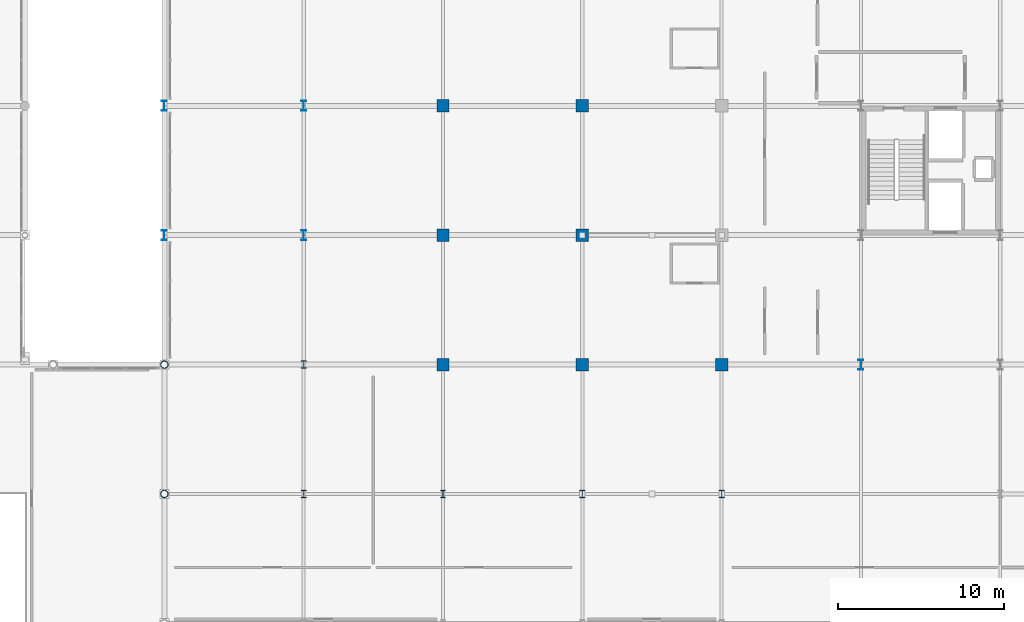
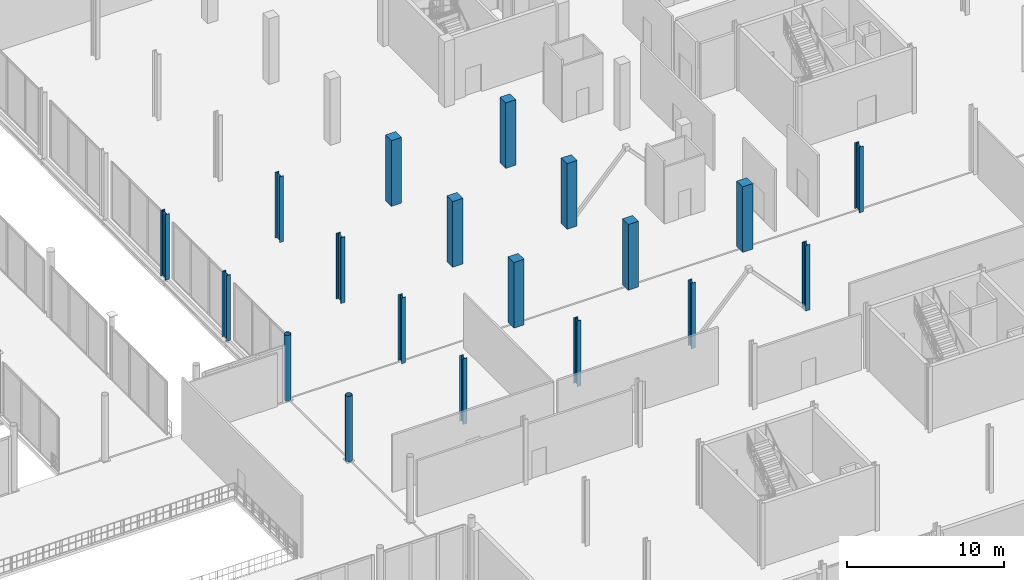
# One storey, part 17 of 105: 19 columns.
"""IFC4 building model written with IfcOpenShell, lengths in metres."""

import ifcopenshell
import ifcopenshell.guid

model = None  # the IFC model being written
_history = None  # IfcOwnerHistory: only IFC2X3 demands one
_inside = {}  # id of a spatial element -> (the spatial element, [elements in it])
_under = {}  # id of a project, library or spatial element -> (it, [spatial elements below it])
_declared = {}  # id of a project -> (the project, [libraries it declares])
_typed = {}  # id of a type object -> (the type object, [elements of that type])
_made_of = {}  # id of a material, layer set ... -> (it, [elements and type objects made of it])


def new_model(schema):
    """Start an empty IFC model of exactly this schema.

    Asked for "IFC4X3", IfcOpenShell would pick the latest addendum, in which some entities
    have other attributes; the version numbers below select the first issue.
    IFC2X3 requires an IfcOwnerHistory on every rooted entity: one is made here for all.
    """
    global model, _history
    if schema == "IFC4X3":
        model = ifcopenshell.file(schema_version=(4, 3, 0, 0))
    else:
        model = ifcopenshell.file(schema=schema)
    _inside.clear()
    _under.clear()
    _declared.clear()
    _typed.clear()
    _made_of.clear()
    _history = None
    if model.schema == "IFC2X3":
        org = make("IfcOrganization", Name="unknown")
        user = make(
            "IfcPersonAndOrganization",
            ThePerson=make("IfcPerson", FamilyName="unknown"),
            TheOrganization=org,
        )
        app = make(
            "IfcApplication",
            ApplicationDeveloper=org,
            Version="unknown",
            ApplicationFullName="unknown",
            ApplicationIdentifier="unknown",
        )
        _history = make(
            "IfcOwnerHistory",
            OwningUser=user,
            OwningApplication=app,
            ChangeAction="ADDED",
            CreationDate=0,
        )
    return model


def make(cls, **values):
    """One entity of the class cls with the attributes given. An attribute that is None is left unset."""
    return model.create_entity(
        cls, **{name: value for name, value in values.items() if value is not None}
    )


def rooted(cls, **values):
    """An entity with a GlobalId (a new one), such as an element, a storey or a relation."""
    return make(cls, GlobalId=ifcopenshell.guid.new(), OwnerHistory=_history, **values)


def si_unit(unit_type, name, prefix=None):
    """IfcSIUnit, for example si_unit("LENGTHUNIT", "METRE", prefix="MILLI")."""
    return make("IfcSIUnit", UnitType=unit_type, Prefix=prefix, Name=name)


def assignment(units):
    """IfcUnitAssignment: the units of a project."""
    return None if units is None else make("IfcUnitAssignment", Units=units)


def point(xyz):
    """IfcCartesianPoint."""
    return None if xyz is None else make("IfcCartesianPoint", Coordinates=xyz)


def direction(xyz):
    """IfcDirection."""
    return None if xyz is None else make("IfcDirection", DirectionRatios=xyz)


def frame(location, z_axis=None, x_axis=None):
    """IfcAxis2Placement3D, a coordinate frame: its origin and axes. An axis left out is left unset."""
    return make(
        "IfcAxis2Placement3D",
        Location=point(location),
        Axis=direction(z_axis),
        RefDirection=direction(x_axis),
    )


def frame_2d(location, x_axis=None):
    """IfcAxis2Placement2D, a coordinate frame in the plane: its origin and x axis."""
    return make(
        "IfcAxis2Placement2D", Location=point(location), RefDirection=direction(x_axis)
    )


def origin():
    """The frame at (0, 0, 0) with its axes left unset."""
    return frame((0.0, 0.0, 0.0))


def origin_2d():
    """The frame at (0, 0) in the plane with its x axis left unset."""
    return frame_2d((0.0, 0.0))


def place(relative_to, where):
    """IfcLocalPlacement: puts the frame where relative to a parent placement (None: the world)."""
    return make(
        "IfcLocalPlacement", PlacementRelTo=relative_to, RelativePlacement=where
    )


def context(
    kind, dimensions, precision=None, world=None, true_north=None, identifier=None
):
    """IfcGeometricRepresentationContext, for example the 3D "Model" context."""
    return make(
        "IfcGeometricRepresentationContext",
        ContextIdentifier=identifier,
        ContextType=kind,
        CoordinateSpaceDimension=dimensions,
        Precision=precision,
        WorldCoordinateSystem=world,
        TrueNorth=true_north,
    )


def subcontext(parent, identifier, kind, view, scale=None):
    """IfcGeometricRepresentationSubContext, for example "Body" below "Model"."""
    return make(
        "IfcGeometricRepresentationSubContext",
        ContextIdentifier=identifier,
        ContextType=kind,
        ParentContext=parent,
        TargetScale=scale,
        TargetView=view,
    )


def project(units=None, contexts=None):
    """IfcProject with its units and contexts."""
    return rooted(
        "IfcProject",
        Name="project",
        RepresentationContexts=contexts,
        UnitsInContext=assignment(units),
    )


def spatial(cls, under=None, at=None, **own):
    """A site, building, storey or space (cls), placed at a placement, below another one or the project."""
    s = rooted(cls, ObjectPlacement=at, **own)
    if under is not None:
        _under.setdefault(under.id(), (under, []))[1].append(s)
    return s


def profile(cls, at=None, kind="AREA", **sizes):
    """A parametric profile (cls). Its sizes go by their IFC names, for example OverallWidth=200.0."""
    return make(cls, ProfileType=kind, Position=at, **sizes)


def rectangle(**sizes):
    """IfcRectangleProfileDef."""
    return profile("IfcRectangleProfileDef", **sizes)


def hollow_circle(**sizes):
    """IfcCircleHollowProfileDef."""
    return profile("IfcCircleHollowProfileDef", **sizes)


def i_section(**sizes):
    """IfcIShapeProfileDef."""
    return profile("IfcIShapeProfileDef", **sizes)


def extrude(swept, where, along, depth):
    """IfcExtrudedAreaSolid: the profile swept, set in the frame where, extruded along a direction by depth."""
    return make(
        "IfcExtrudedAreaSolid",
        SweptArea=swept,
        Position=where,
        ExtrudedDirection=direction(along),
        Depth=depth,
    )


def shape(context_of_items, identifier, shape_type, items):
    """IfcShapeRepresentation: the items that make up one representation, for example the "Body"."""
    return make(
        "IfcShapeRepresentation",
        ContextOfItems=context_of_items,
        RepresentationIdentifier=identifier,
        RepresentationType=shape_type,
        Items=items,
    )


def material(Name=None, Category=None):
    """IfcMaterial."""
    return make("IfcMaterial", Name=Name, Category=Category)


def material_profile(
    of_material, cross_section, Name=None, Category=None, Priority=None
):
    """IfcMaterialProfile: a cross section and its material."""
    return make(
        "IfcMaterialProfile",
        Name=Name,
        Material=of_material,
        Profile=cross_section,
        Priority=Priority,
        Category=Category,
    )


def profile_set(profiles, Name=None, composite=None):
    """IfcMaterialProfileSet."""
    return make(
        "IfcMaterialProfileSet",
        Name=Name,
        MaterialProfiles=profiles,
        CompositeProfile=composite,
    )


def made_of(thing, what):
    """Note that an element or type object is made of a material, layer set ...; save() writes the relation."""
    if what is not None:
        _made_of.setdefault(what.id(), (what, []))[1].append(thing)
    return thing


def type_object(cls, material=None, **own):
    """A type object (cls), such as IfcWallType, which elements share."""
    return made_of(rooted(cls, **own), material)


def element(
    cls,
    number,
    at=None,
    inside=None,
    cuts=None,
    type_object=None,
    material=None,
    context=None,
    identifier="Body",
    shape_type=None,
    held_by="IfcProductDefinitionShape",
    body=None,
    shapes=None,
    **own,
):
    """One element of the class cls, such as IfcWall. Its Tag is "e" and its number.

    at: its placement. inside: the storey or other place that contains it. cuts: it is an
    opening in that element (IfcRelVoidsElement). A single representation is given by context,
    identifier, shape_type and body (its items); several are given by shapes. held_by: the class
    of the entity that holds the representations. save() writes the other relations.
    """
    e = rooted(cls, Tag="e%d" % number, ObjectPlacement=at, **own)
    if body is not None:
        shapes = [shape(context, identifier, shape_type, body)]
    if shapes is not None:
        e.Representation = make(held_by, Representations=shapes)
    if inside is not None:
        _inside.setdefault(inside.id(), (inside, []))[1].append(e)
    if cuts is not None:
        rooted(
            "IfcRelVoidsElement", RelatingBuildingElement=cuts, RelatedOpeningElement=e
        )
    if type_object is not None:
        _typed.setdefault(type_object.id(), (type_object, []))[1].append(e)
    return made_of(e, material)


def aggregate(whole, parts):
    """IfcRelAggregates: a whole, such as a stair, and the parts it consists of."""
    return rooted("IfcRelAggregates", RelatingObject=whole, RelatedObjects=parts)


def save(model, path):
    """Write the relations noted so far, then the file.

    IfcRelAggregates (storeys below a building ...), IfcRelContainedInSpatialStructure (elements
    in a storey), IfcRelDefinesByType, IfcRelAssociatesMaterial and IfcRelDeclares: one each for
    every whole, place, type object, material and project.
    """
    for whole, parts in _under.values():
        aggregate(whole, parts)
    for where, things in _inside.values():
        rooted(
            "IfcRelContainedInSpatialStructure",
            RelatedElements=things,
            RelatingStructure=where,
        )
    for kind, things in _typed.values():
        rooted("IfcRelDefinesByType", RelatedObjects=things, RelatingType=kind)
    for what, things in _made_of.values():
        rooted("IfcRelAssociatesMaterial", RelatedObjects=things, RelatingMaterial=what)
    for by, libraries in _declared.values():
        rooted("IfcRelDeclares", RelatingContext=by, RelatedDefinitions=libraries)
    model.write(path)


model = new_model("IFC4")

# Units and contexts
model_context = context("Model", 3, precision=1e-05, world=origin(), true_north=direction((0.0, 1.0)))
body_context = subcontext(model_context, "Body", "Model", "MODEL_VIEW")
ifc_project = project(units=[si_unit("LENGTHUNIT", "METRE"), si_unit("AREAUNIT", "SQUARE_METRE"), si_unit("VOLUMEUNIT", "CUBIC_METRE"), si_unit("PLANEANGLEUNIT", "RADIAN"), si_unit("MASSUNIT", "GRAM", prefix="KILO")], contexts=[model_context])

# Site, building, storey
site_placement = place(None, origin())
site = spatial("IfcSite", under=ifc_project, at=site_placement, CompositionType="ELEMENT")
building_placement = place(site_placement, origin())
building = spatial("IfcBuilding", under=site, at=building_placement, Name="Nabrawat Pavilion Hospital", CompositionType="ELEMENT")
storey_placement = place(building_placement, frame((0.0, 0.0, 5.10009765625)))
storey = spatial("IfcBuildingStorey", under=building, at=storey_placement, Name="L01", CompositionType="ELEMENT", Elevation=5.10009765625)

# Columns
ifc_material_1 = material(Name="Steel S355", Category="steel")
ifc_material_profile_1 = material_profile(ifc_material_1, i_section(OverallWidth=0.300048828125, OverallDepth=0.449951171875, WebThickness=0.013916015625, FlangeThickness=0.02587890625, FilletRadius=0.027099609375, at=origin_2d()), Name="HEB 450")
ifc_profile_set_1 = profile_set([ifc_material_profile_1], Name="Steel S355")
column_type_1 = type_object("IfcColumnType", Name="Composite Steel Column HEB 450", PredefinedType="COLUMN", material=ifc_profile_set_1)
for number, where, z_axis, x_axis, name in (
    (1, (134.39990234375, 31.199951171875, 0.0), (0.0, 0.0, 1.0), (1.0, 0.0, 0.0), "L01 Structural Column G-17-E"),
    (2, (134.39990234375, 39.0, 0.0), (0.0, 0.0, 1.0), (1.0, 0.0, 0.0), "L01 Structural Column G-17-F1"),
    (3, (142.800048828125, 31.199951171875, 0.0), (0.0, 0.0, 1.0), (1.0, 0.0, 0.0), "L01 Structural Column G-18-E"),
    (4, (151.199951171875, 31.199951171875, 0.0), (0.0, 0.0, 1.0), (1.0, 0.0, 0.0), "L01 Structural Column G-19-E"),
    (5, (159.60009765625, 31.199951171875, 0.0), (0.0, 0.0, 1.0), (1.0, 0.0, 0.0), "L01 Structural Column G-20-E"),
):
    element("IfcColumn", number, at=place(storey_placement, frame(where, z_axis=z_axis, x_axis=x_axis)), inside=storey, type_object=column_type_1, Name=name, PredefinedType="COLUMN", context=body_context, shape_type="SweptSolid", body=[
        extrude(i_section(OverallWidth=0.300048828125, OverallDepth=0.449951171875, WebThickness=0.013916015625, FlangeThickness=0.02587890625, FilletRadius=0.027099609375, at=origin_2d()), origin(), (0.0, 0.0, 1.0), 5.099853515625),
    ])
ifc_material_profile_2 = material_profile(ifc_material_1, i_section(OverallWidth=0.300048828125, OverallDepth=0.60009765625, WebThickness=0.015380859375, FlangeThickness=0.030029296875, FilletRadius=0.027099609375, at=origin_2d()), Name="HEB 600")
ifc_profile_set_2 = profile_set([ifc_material_profile_2], Name="Steel S355")
column_type_2 = type_object("IfcColumnType", Name="Composite Steel Column HEB 600", PredefinedType="COLUMN", material=ifc_profile_set_2)
for number, where, z_axis, x_axis, name in (
    (6, (126.0, 46.800048828125, 0.0), (0.0, 0.0, 1.0), (1.0, 0.0, 0.0), "L01 Structural Column G-16A-G"),
    (7, (126.0, 54.60009765625, 0.0), (0.0, 0.0, 1.0), (1.0, 0.0, 0.0), "L01 Structural Column G-16A-H"),
    (8, (134.39990234375, 46.800048828125, 0.0), (0.0, 0.0, 1.0), (1.0, 0.0, 0.0), "L01 Structural Column G-17-G"),
    (9, (134.39990234375, 54.60009765625, 0.0), (0.0, 0.0, 1.0), (1.0, 0.0, 0.0), "L01 Structural Column G-17-H"),
    (10, (168.0, 39.0, 0.0), (0.0, 0.0, 1.0), (1.0, 0.0, 0.0), "L01 Structural Column G-21-F1"),
):
    element("IfcColumn", number, at=place(storey_placement, frame(where, z_axis=z_axis, x_axis=x_axis)), inside=storey, type_object=column_type_2, Name=name, PredefinedType="COLUMN", context=body_context, shape_type="SweptSolid", body=[
        extrude(i_section(OverallWidth=0.300048828125, OverallDepth=0.60009765625, WebThickness=0.015380859375, FlangeThickness=0.030029296875, FilletRadius=0.027099609375, at=origin_2d()), origin(), (0.0, 0.0, 1.0), 5.099853515625),
    ])
ifc_material_profile_3 = material_profile(ifc_material_1, hollow_circle(Radius=0.228515625, WallThickness=0.02001953125, at=origin_2d()), Name="CHS 457x20")
ifc_profile_set_3 = profile_set([ifc_material_profile_3], Name="Steel S355")
column_type_3 = type_object("IfcColumnType", Name="Expressed Pavilion Tubular Column CHS 457x20", PredefinedType="COLUMN", material=ifc_profile_set_3)
for number, where, z_axis, x_axis, name in (
    (11, (126.0, 31.199951171875, 0.0), (0.0, 0.0, 1.0), (1.0, 0.0, 0.0), "L01 Expressed Pavilion Column MH-E02"),
    (12, (126.0, 39.0, 0.0), (0.0, 0.0, 1.0), (1.0, 0.0, 0.0), "L01 Expressed Pavilion Column MH-N10"),
):
    element("IfcColumn", number, at=place(storey_placement, frame(where, z_axis=z_axis, x_axis=x_axis)), inside=storey, type_object=column_type_3, Name=name, PredefinedType="COLUMN", context=body_context, shape_type="SweptSolid", body=[
        extrude(hollow_circle(Radius=0.228515625, WallThickness=0.02001953125, at=origin_2d()), origin(), (0.0, 0.0, 1.0), 5.099853515625),
    ])
ifc_material_2 = material(Name="Concrete C40/50", Category="concrete")
ifc_material_profile_4 = material_profile(ifc_material_2, rectangle(XDim=0.75, YDim=0.75, at=origin_2d()), Name="RC 750x750")
ifc_profile_set_4 = profile_set([ifc_material_profile_4], Name="Concrete C40/50")
column_type_4 = type_object("IfcColumnType", Name="Surgical Suite RC Column 750x750", PredefinedType="COLUMN", material=ifc_profile_set_4)
for number, where, z_axis, x_axis, name in (
    (13, (142.800048828125, 39.0, 0.0), (0.0, 0.0, 1.0), (1.0, 0.0, 0.0), "L01 Structural Column G-18-F1"),
    (14, (142.800048828125, 46.800048828125, 0.0), (0.0, 0.0, 1.0), (1.0, 0.0, 0.0), "L01 Structural Column G-18-G"),
    (15, (142.800048828125, 54.60009765625, 0.0), (0.0, 0.0, 1.0), (1.0, 0.0, 0.0), "L01 Structural Column G-18-H"),
    (16, (151.199951171875, 39.0, 0.0), (0.0, 0.0, 1.0), (1.0, 0.0, 0.0), "L01 Structural Column G-19-F1"),
    (17, (151.199951171875, 46.800048828125, 0.0), (0.0, 0.0, 1.0), (1.0, 0.0, 0.0), "L01 Structural Column G-19-G"),
    (18, (151.199951171875, 54.60009765625, 0.0), (0.0, 0.0, 1.0), (1.0, 0.0, 0.0), "L01 Structural Column G-19-H"),
    (19, (159.60009765625, 39.0, 0.0), (0.0, 0.0, 1.0), (1.0, 0.0, 0.0), "L01 Structural Column G-20-F1"),
):
    element("IfcColumn", number, at=place(storey_placement, frame(where, z_axis=z_axis, x_axis=x_axis)), inside=storey, type_object=column_type_4, Name=name, PredefinedType="COLUMN", context=body_context, shape_type="SweptSolid", body=[
        extrude(rectangle(XDim=0.75, YDim=0.75, at=origin_2d()), origin(), (0.0, 0.0, 1.0), 5.099853515625),
    ])

save(model, "model.ifc")
